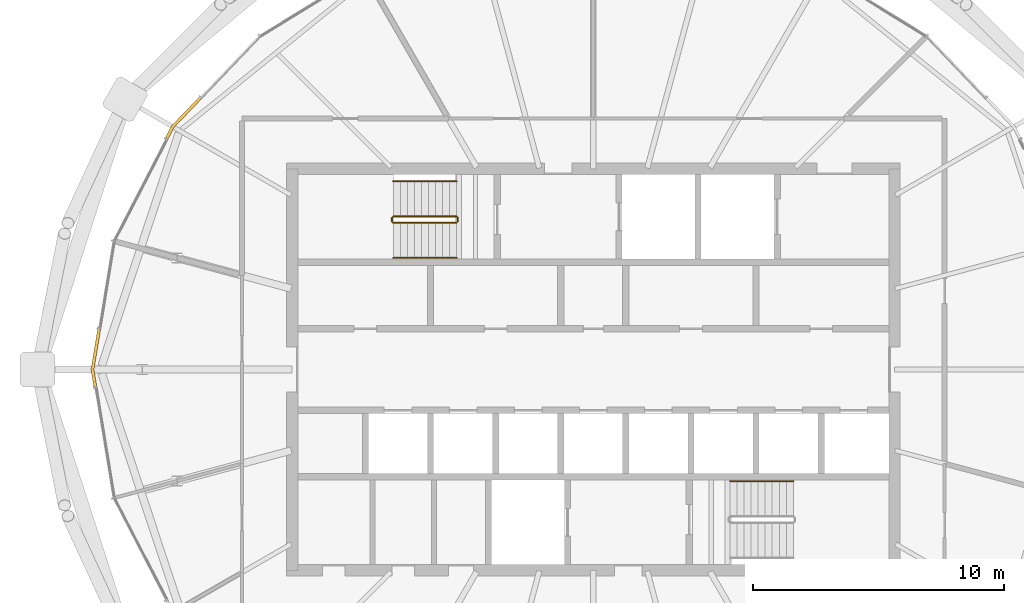
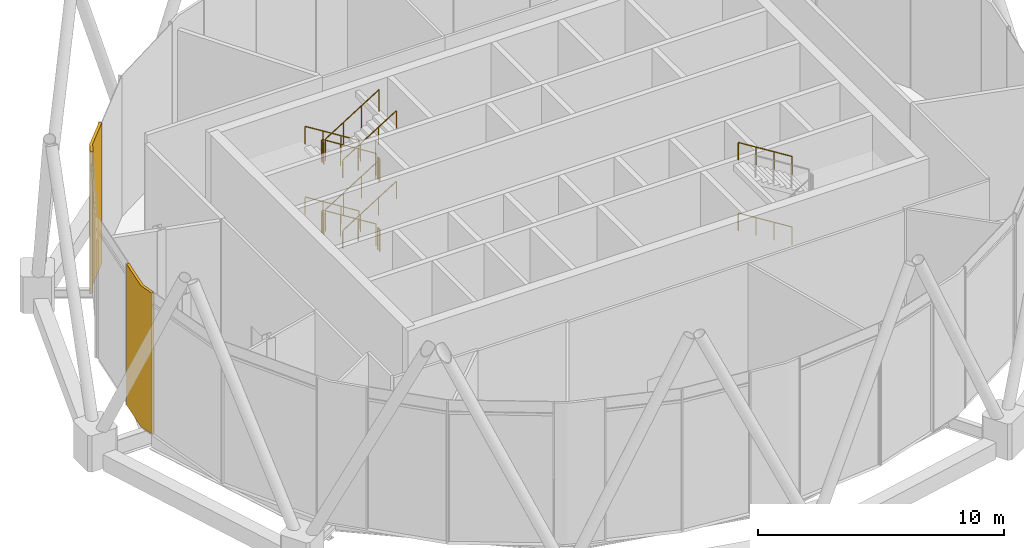
# One storey, part 25 of 28: 14 railings, 2 coverings.
"""IFC4 building model written with IfcOpenShell, lengths in metres."""

from ifc_helpers import new_model, si_unit, direction, frame, origin, origin_2d, place, context, subcontext, project, spatial, polyline, circle, outline, extrude, material, layer, layer_set, type_object, element, save


model = new_model("IFC4")

# Units and contexts
model_context = context("Model", 3, precision=1e-05, world=origin(), true_north=direction((0.0, 1.0)))
body_context = subcontext(model_context, "Body", "Model", "MODEL_VIEW")
ifc_project = project(units=[si_unit("LENGTHUNIT", "METRE"), si_unit("AREAUNIT", "SQUARE_METRE"), si_unit("VOLUMEUNIT", "CUBIC_METRE"), si_unit("PLANEANGLEUNIT", "RADIAN"), si_unit("MASSUNIT", "GRAM", prefix="KILO")], contexts=[model_context])

# Site, building, storey
site_placement = place(None, origin())
site = spatial("IfcSite", under=ifc_project, at=site_placement, CompositionType="ELEMENT")
building_placement = place(site_placement, origin())
building = spatial("IfcBuilding", under=site, at=building_placement, Name="Rimbun Link Towers", CompositionType="ELEMENT")
storey_placement = place(building_placement, frame((0.0, 0.0, 256.10009765625)))
storey = spatial("IfcBuildingStorey", under=building, at=storey_placement, Name="L63", CompositionType="ELEMENT", Elevation=256.10009765625)

# Coverings
ifc_material_1 = material(Name="Terracotta", Category="masonry")
ifc_layer = layer(ifc_material_1, 0.1201171875)
ifc_layer_set = layer_set([ifc_layer], Name="LINK PIER terracotta cladding 120")
covering_type = type_object("IfcCoveringType", Name="LINK PIER terracotta cladding 120", PredefinedType="CLADDING", material=ifc_layer_set)
covering_1_placement = place(storey_placement, origin())
element("IfcCovering", 1, at=covering_1_placement, inside=storey, type_object=covering_type, Name="LINK PIER cladding", PredefinedType="CLADDING", context=body_context, shape_type="SweptSolid", body=[
    extrude(outline(polyline([(-48.6962890625, 9.18408203125), (-48.45751953125, 9.64599609375), (-47.370849609375, 10.779296875), (-47.45751953125, 10.8623046875), (-48.555908203125, 9.716552734375), (-48.802978515625, 9.2392578125), (-48.6962890625, 9.18408203125)])), origin(), (0.0, 0.0, 1.0), 7.0),
])
covering_2_placement = place(storey_placement, origin())
element("IfcCovering", 2, at=covering_2_placement, inside=storey, type_object=covering_type, Name="LINK PIER cladding", PredefinedType="CLADDING", context=body_context, shape_type="SweptSolid", body=[
    extrude(outline(polyline([(-51.537353515625, -0.6611328125), (-51.64599609375, 0.0), (-51.383056640625, 1.5986328125), (-51.50146484375, 1.617919921875), (-51.767578125, 0.0), (-51.65576171875, -0.6806640625), (-51.537353515625, -0.6611328125)])), origin(), (0.0, 0.0, 1.0), 7.0),
])

# Railings
ifc_material_2 = material(Name="Stainless steel grade 316", Category="steel")
railing_type_1 = type_object("IfcRailingType", Name="Stair guard", PredefinedType="GUARDRAIL", material=ifc_material_2)
railing_1_placement = place(storey_placement, frame((-37.199951171875, 6.10009765625, 0.1748046875)))
element("IfcRailing", 3, at=railing_1_placement, inside=storey, type_object=railing_type_1, Name="L63 ST1 stair guard 1", PredefinedType="GUARDRAIL", context=body_context, shape_type="SweptSolid", body=[
    extrude(circle(Radius=0.02392578125, at=origin_2d()), frame((0.0, 0.0, 1.076171875), z_axis=(-0.847970611238, 0.0, 0.530043245855), x_axis=(0.0, -1.0, 0.0)), (0.0, 0.0, 1.0), 2.971923828125),
    extrude(circle(Radius=0.02099609375, at=origin_2d()), origin(), (0.0, 0.0, 1.0), 1.052001953125),
    extrude(circle(Radius=0.02099609375, at=origin_2d()), frame((-0.840087890625, 0.0, 0.525146484375)), (0.0, 0.0, 1.0), 1.052001953125),
    extrude(circle(Radius=0.02099609375, at=origin_2d()), frame((-1.679931640625, 0.0, 1.050048828125)), (0.0, 0.0, 1.0), 1.052001953125),
    extrude(circle(Radius=0.02099609375, at=origin_2d()), frame((-2.52001953125, 0.0, 1.5751953125)), (0.0, 0.0, 1.0), 1.052001953125),
])
railing_2_placement = place(storey_placement, frame((-39.77001953125, 6.050048828125, 1.75)))
element("IfcRailing", 4, at=railing_2_placement, inside=storey, type_object=railing_type_1, Name="L63 ST1 stair guard 2", PredefinedType="GUARDRAIL", context=body_context, shape_type="SweptSolid", body=[
    extrude(circle(Radius=0.02392578125, at=origin_2d()), frame((0.0, 0.0, 1.076171875), z_axis=(0.0, -1.0, 0.0), x_axis=(1.0, 0.0, 0.0)), (0.0, 0.0, 1.0), 0.150146484375),
    extrude(circle(Radius=0.02099609375, at=origin_2d()), origin(), (0.0, 0.0, 1.0), 1.052001953125),
    extrude(circle(Radius=0.02099609375, at=origin_2d()), frame((0.0, -0.150146484375, 0.0)), (0.0, 0.0, 1.0), 1.052001953125),
])
railing_3_placement = place(storey_placement, frame((-39.719970703125, 5.85009765625, 1.9248046875)))
element("IfcRailing", 5, at=railing_3_placement, inside=storey, type_object=railing_type_1, Name="L63 ST1 stair guard 3", PredefinedType="GUARDRAIL", context=body_context, shape_type="SweptSolid", body=[
    extrude(circle(Radius=0.02392578125, at=origin_2d()), frame((0.0, 0.0, 1.076171875), z_axis=(0.847970611238, 0.0, 0.530043245855), x_axis=(0.0, 1.0, 0.0)), (0.0, 0.0, 1.0), 2.971923828125),
    extrude(circle(Radius=0.02099609375, at=origin_2d()), origin(), (0.0, 0.0, 1.0), 1.052001953125),
    extrude(circle(Radius=0.02099609375, at=origin_2d()), frame((0.840087890625, 0.0, 0.525146484375)), (0.0, 0.0, 1.0), 1.052001953125),
    extrude(circle(Radius=0.02099609375, at=origin_2d()), frame((1.679931640625, 0.0, 1.050048828125)), (0.0, 0.0, 1.0), 1.052001953125),
    extrude(circle(Radius=0.02099609375, at=origin_2d()), frame((2.52001953125, 0.0, 1.5751953125)), (0.0, 0.0, 1.0), 1.052001953125),
])
railing_4_placement = place(storey_placement, frame((-37.14990234375, 6.050048828125, 3.5)))
element("IfcRailing", 6, at=railing_4_placement, inside=storey, type_object=railing_type_1, Name="L63 ST1 stair guard 4", PredefinedType="GUARDRAIL", context=body_context, shape_type="SweptSolid", body=[
    extrude(circle(Radius=0.02392578125, at=origin_2d()), frame((0.0, 0.0, 1.076171875), z_axis=(0.0, -1.0, 0.0), x_axis=(1.0, 0.0, 0.0)), (0.0, 0.0, 1.0), 0.150146484375),
    extrude(circle(Radius=0.02099609375, at=origin_2d()), origin(), (0.0, 0.0, 1.0), 1.052001953125),
    extrude(circle(Radius=0.02099609375, at=origin_2d()), frame((0.0, -0.150146484375, 0.0)), (0.0, 0.0, 1.0), 1.052001953125),
])
railing_5_placement = place(storey_placement, frame((-37.199951171875, 6.10009765625, 3.6748046875)))
element("IfcRailing", 7, at=railing_5_placement, inside=storey, type_object=railing_type_1, Name="L63 ST1 stair guard 5", PredefinedType="GUARDRAIL", context=body_context, shape_type="SweptSolid", body=[
    extrude(circle(Radius=0.02392578125, at=origin_2d()), frame((0.0, 0.0, 1.076171875), z_axis=(-0.847970611238, 0.0, 0.530043245855), x_axis=(0.0, -1.0, 0.0)), (0.0, 0.0, 1.0), 2.971923828125),
    extrude(circle(Radius=0.02099609375, at=origin_2d()), origin(), (0.0, 0.0, 1.0), 1.052001953125),
    extrude(circle(Radius=0.02099609375, at=origin_2d()), frame((-0.840087890625, 0.0, 0.525146484375)), (0.0, 0.0, 1.0), 1.052001953125),
    extrude(circle(Radius=0.02099609375, at=origin_2d()), frame((-1.679931640625, 0.0, 1.050048828125)), (0.0, 0.0, 1.0), 1.052001953125),
    extrude(circle(Radius=0.02099609375, at=origin_2d()), frame((-2.52001953125, 0.0, 1.5751953125)), (0.0, 0.0, 1.0), 1.052001953125),
])
railing_6_placement = place(storey_placement, frame((-39.77001953125, 6.050048828125, 5.25)))
element("IfcRailing", 8, at=railing_6_placement, inside=storey, type_object=railing_type_1, Name="L63 ST1 stair guard 6", PredefinedType="GUARDRAIL", context=body_context, shape_type="SweptSolid", body=[
    extrude(circle(Radius=0.02392578125, at=origin_2d()), frame((0.0, 0.0, 1.076171875), z_axis=(0.0, -1.0, 0.0), x_axis=(1.0, 0.0, 0.0)), (0.0, 0.0, 1.0), 0.150146484375),
    extrude(circle(Radius=0.02099609375, at=origin_2d()), origin(), (0.0, 0.0, 1.0), 1.052001953125),
    extrude(circle(Radius=0.02099609375, at=origin_2d()), frame((0.0, -0.150146484375, 0.0)), (0.0, 0.0, 1.0), 1.052001953125),
])
railing_7_placement = place(storey_placement, frame((-39.719970703125, 5.85009765625, 5.4248046875)))
element("IfcRailing", 9, at=railing_7_placement, inside=storey, type_object=railing_type_1, Name="L63 ST1 stair guard 7", PredefinedType="GUARDRAIL", context=body_context, shape_type="SweptSolid", body=[
    extrude(circle(Radius=0.02392578125, at=origin_2d()), frame((0.0, 0.0, 1.076171875), z_axis=(0.847970611238, 0.0, 0.530043245855), x_axis=(0.0, 1.0, 0.0)), (0.0, 0.0, 1.0), 2.971923828125),
    extrude(circle(Radius=0.02099609375, at=origin_2d()), origin(), (0.0, 0.0, 1.0), 1.052001953125),
    extrude(circle(Radius=0.02099609375, at=origin_2d()), frame((0.840087890625, 0.0, 0.525146484375)), (0.0, 0.0, 1.0), 1.052001953125),
    extrude(circle(Radius=0.02099609375, at=origin_2d()), frame((1.679931640625, 0.0, 1.050048828125)), (0.0, 0.0, 1.0), 1.052001953125),
    extrude(circle(Radius=0.02099609375, at=origin_2d()), frame((2.52001953125, 0.0, 1.5751953125)), (0.0, 0.0, 1.0), 1.052001953125),
])
railing_8_placement = place(storey_placement, frame((-37.14990234375, 6.050048828125, 0.0)))
element("IfcRailing", 10, at=railing_8_placement, inside=storey, type_object=railing_type_1, Name="L63 ST1 stair guard 8", PredefinedType="GUARDRAIL", context=body_context, shape_type="SweptSolid", body=[
    extrude(circle(Radius=0.02392578125, at=origin_2d()), frame((0.0, 0.0, 1.076171875), z_axis=(0.0, -1.0, 0.0), x_axis=(1.0, 0.0, 0.0)), (0.0, 0.0, 1.0), 0.150146484375),
    extrude(circle(Radius=0.02099609375, at=origin_2d()), origin(), (0.0, 0.0, 1.0), 1.052001953125),
    extrude(circle(Radius=0.02099609375, at=origin_2d()), frame((0.0, -0.150146484375, 0.0)), (0.0, 0.0, 1.0), 1.052001953125),
])
ifc_material_3 = material(Name="Stainless steel grade 316", Category="steel")
railing_type_2 = type_object("IfcRailingType", Name="Stair handrail", PredefinedType="HANDRAIL", material=ifc_material_3)
railing_9_placement = place(storey_placement, frame((-37.199951171875, 7.5, 0.1748046875)))
element("IfcRailing", 11, at=railing_9_placement, inside=storey, type_object=railing_type_2, Name="L63 ST1 stair handrail 1", PredefinedType="HANDRAIL", context=body_context, shape_type="SweptSolid", body=[
    extrude(circle(Radius=0.02392578125, at=origin_2d()), frame((0.0, 0.0, 0.8759765625), z_axis=(-0.847970611238, 0.0, 0.530043245855), x_axis=(0.0, -1.0, 0.0)), (0.0, 0.0, 1.0), 2.971923828125),
    extrude(circle(Radius=0.02099609375, at=origin_2d()), origin(), (0.0, 0.0, 1.0), 0.851806640625),
    extrude(circle(Radius=0.02099609375, at=origin_2d()), frame((-0.840087890625, 0.0, 0.525146484375)), (0.0, 0.0, 1.0), 0.851806640625),
    extrude(circle(Radius=0.02099609375, at=origin_2d()), frame((-1.679931640625, 0.0, 1.050048828125)), (0.0, 0.0, 1.0), 0.851806640625),
    extrude(circle(Radius=0.02099609375, at=origin_2d()), frame((-2.52001953125, 0.0, 1.5751953125)), (0.0, 0.0, 1.0), 0.851806640625),
])
railing_10_placement = place(storey_placement, frame((-39.719970703125, 4.449951171875, 1.9248046875)))
element("IfcRailing", 12, at=railing_10_placement, inside=storey, type_object=railing_type_2, Name="L63 ST1 stair handrail 2", PredefinedType="HANDRAIL", context=body_context, shape_type="SweptSolid", body=[
    extrude(circle(Radius=0.02392578125, at=origin_2d()), frame((0.0, 0.0, 0.8759765625), z_axis=(0.847970611238, 0.0, 0.530043245855), x_axis=(0.0, 1.0, 0.0)), (0.0, 0.0, 1.0), 2.971923828125),
    extrude(circle(Radius=0.02099609375, at=origin_2d()), origin(), (0.0, 0.0, 1.0), 0.851806640625),
    extrude(circle(Radius=0.02099609375, at=origin_2d()), frame((0.840087890625, 0.0, 0.525146484375)), (0.0, 0.0, 1.0), 0.851806640625),
    extrude(circle(Radius=0.02099609375, at=origin_2d()), frame((1.679931640625, 0.0, 1.050048828125)), (0.0, 0.0, 1.0), 0.851806640625),
    extrude(circle(Radius=0.02099609375, at=origin_2d()), frame((2.52001953125, 0.0, 1.5751953125)), (0.0, 0.0, 1.0), 0.851806640625),
])
railing_11_placement = place(storey_placement, frame((-37.199951171875, 7.5, 3.6748046875)))
element("IfcRailing", 13, at=railing_11_placement, inside=storey, type_object=railing_type_2, Name="L63 ST1 stair handrail 3", PredefinedType="HANDRAIL", context=body_context, shape_type="SweptSolid", body=[
    extrude(circle(Radius=0.02392578125, at=origin_2d()), frame((0.0, 0.0, 0.8759765625), z_axis=(-0.847970611238, 0.0, 0.530043245855), x_axis=(0.0, -1.0, 0.0)), (0.0, 0.0, 1.0), 2.971923828125),
    extrude(circle(Radius=0.02099609375, at=origin_2d()), origin(), (0.0, 0.0, 1.0), 0.851806640625),
    extrude(circle(Radius=0.02099609375, at=origin_2d()), frame((-0.840087890625, 0.0, 0.525146484375)), (0.0, 0.0, 1.0), 0.851806640625),
    extrude(circle(Radius=0.02099609375, at=origin_2d()), frame((-1.679931640625, 0.0, 1.050048828125)), (0.0, 0.0, 1.0), 0.851806640625),
    extrude(circle(Radius=0.02099609375, at=origin_2d()), frame((-2.52001953125, 0.0, 1.5751953125)), (0.0, 0.0, 1.0), 0.851806640625),
])
railing_12_placement = place(storey_placement, frame((-39.719970703125, 4.449951171875, 5.4248046875)))
element("IfcRailing", 14, at=railing_12_placement, inside=storey, type_object=railing_type_2, Name="L63 ST1 stair handrail 4", PredefinedType="HANDRAIL", context=body_context, shape_type="SweptSolid", body=[
    extrude(circle(Radius=0.02392578125, at=origin_2d()), frame((0.0, 0.0, 0.8759765625), z_axis=(0.847970611238, 0.0, 0.530043245855), x_axis=(0.0, 1.0, 0.0)), (0.0, 0.0, 1.0), 2.971923828125),
    extrude(circle(Radius=0.02099609375, at=origin_2d()), origin(), (0.0, 0.0, 1.0), 0.851806640625),
    extrude(circle(Radius=0.02099609375, at=origin_2d()), frame((0.840087890625, 0.0, 0.525146484375)), (0.0, 0.0, 1.0), 0.851806640625),
    extrude(circle(Radius=0.02099609375, at=origin_2d()), frame((1.679931640625, 0.0, 1.050048828125)), (0.0, 0.0, 1.0), 0.851806640625),
    extrude(circle(Radius=0.02099609375, at=origin_2d()), frame((2.52001953125, 0.0, 1.5751953125)), (0.0, 0.0, 1.0), 0.851806640625),
])
for number, where, name in (
    (15, (-23.780029296875, -4.449951171875, 1.9248046875), "L63 ST2 stair handrail 2"),
    (16, (-23.780029296875, -4.449951171875, 5.4248046875), "L63 ST2 stair handrail 4"),
):
    element("IfcRailing", number, at=place(storey_placement, frame(where)), inside=storey, type_object=railing_type_2, Name=name, PredefinedType="HANDRAIL", context=body_context, shape_type="SweptSolid", body=[
        extrude(circle(Radius=0.02392578125, at=origin_2d()), frame((0.0, 0.0, 0.8759765625), z_axis=(-0.847970611238, 0.0, 0.530043245855), x_axis=(0.0, -1.0, 0.0)), (0.0, 0.0, 1.0), 2.971923828125),
        extrude(circle(Radius=0.02099609375, at=origin_2d()), origin(), (0.0, 0.0, 1.0), 0.851806640625),
        extrude(circle(Radius=0.02099609375, at=origin_2d()), frame((-0.840087890625, 0.0, 0.525146484375)), (0.0, 0.0, 1.0), 0.851806640625),
        extrude(circle(Radius=0.02099609375, at=origin_2d()), frame((-1.679931640625, 0.0, 1.050048828125)), (0.0, 0.0, 1.0), 0.851806640625),
        extrude(circle(Radius=0.02099609375, at=origin_2d()), frame((-2.52001953125, 0.0, 1.5751953125)), (0.0, 0.0, 1.0), 0.851806640625),
    ])

save(model, "model.ifc")
